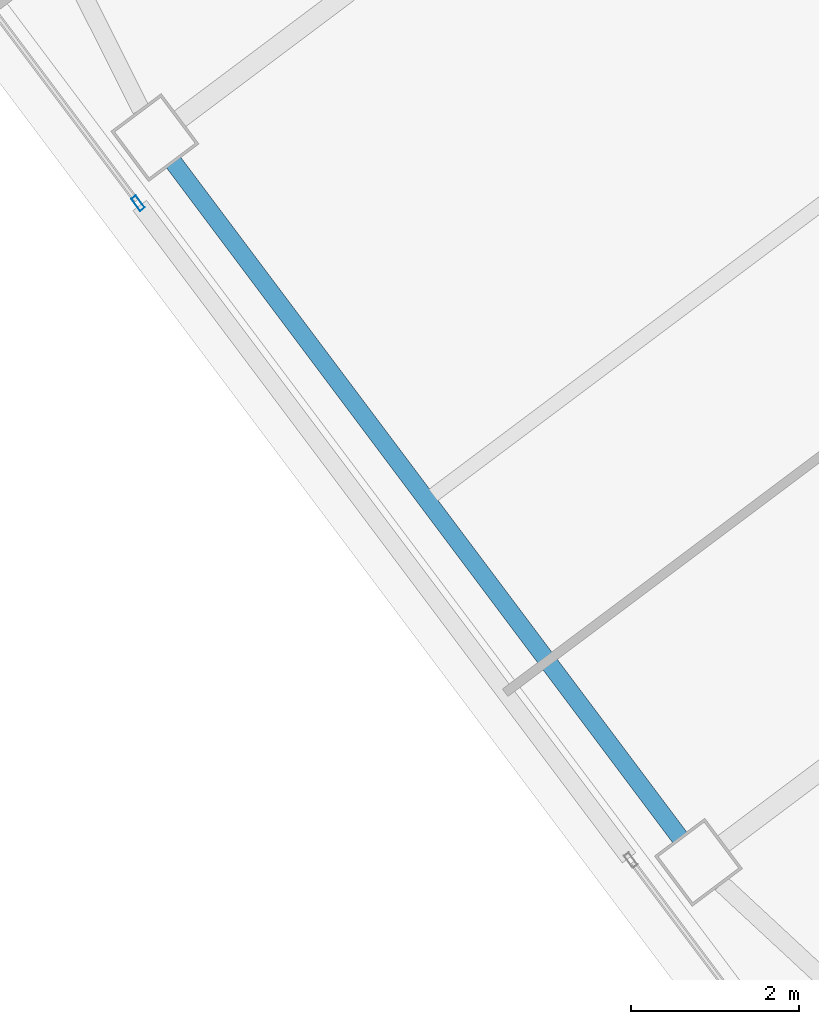
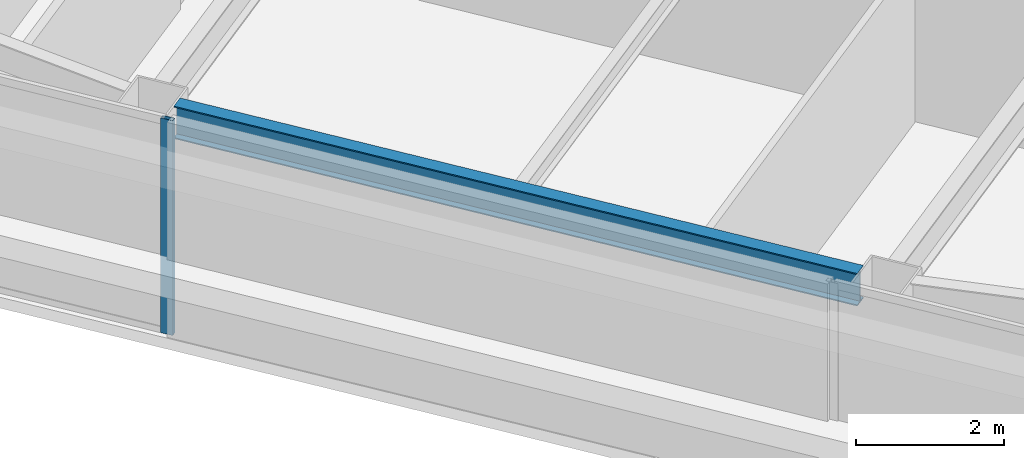
# One storey, part 16 of 41: 1 beam, 1 member, 1 element without a shape of its own.
"""IFC4 building model written with IfcOpenShell, lengths in metres."""

from ifc_helpers import new_model, si_unit, direction, frame, origin, origin_2d, place, context, subcontext, project, spatial, hollow_rectangle, i_section, extrude, material, material_profile, profile_set, type_object, element, aggregate, save


model = new_model("IFC4")

# Units and contexts
model_context = context("Model", 3, precision=1e-05, world=origin(), true_north=direction((0.0, 1.0)))
body_context = subcontext(model_context, "Body", "Model", "MODEL_VIEW")
ifc_project = project(units=[si_unit("LENGTHUNIT", "METRE"), si_unit("AREAUNIT", "SQUARE_METRE"), si_unit("VOLUMEUNIT", "CUBIC_METRE"), si_unit("PLANEANGLEUNIT", "RADIAN"), si_unit("MASSUNIT", "GRAM", prefix="KILO")], contexts=[model_context])

# Site, building, storey
site_placement = place(None, origin())
site = spatial("IfcSite", under=ifc_project, at=site_placement, CompositionType="ELEMENT")
building_placement = place(site_placement, origin())
building = spatial("IfcBuilding", under=site, at=building_placement, Name="Tashvorn Skyway Center", CompositionType="ELEMENT")
storey_placement = place(building_placement, frame((0.0, 0.0, 192.5)))
storey = spatial("IfcBuildingStorey", under=building, at=storey_placement, Name="L52", CompositionType="ELEMENT", Elevation=192.5)

# Beam
ifc_material_1 = material(Name="Steel ASTM A992 Grade 50", Category="steel")
ifc_material_profile_1 = material_profile(ifc_material_1, i_section(OverallWidth=0.2109375, OverallDepth=0.5390625, WebThickness=0.01171875, FlangeThickness=0.018798828125, at=origin_2d()), Name="W21X73")
ifc_profile_set_1 = profile_set([ifc_material_profile_1], Name="Steel ASTM A992 Grade 50")
beam_type = type_object("IfcBeamType", Name="BM-SPANDREL-W21X73", PredefinedType="SPANDREL", material=ifc_profile_set_1)
beam_placement = place(storey_placement, frame((98.06201171875, 26.333984375, 3.1005859375), z_axis=(0.599988351091, -0.800008736549, 0.0), x_axis=(0.800008736549, 0.599988351091, 0.0)))
element("IfcBeam", 1, at=beam_placement, inside=storey, type_object=beam_type, Name="Tower 2 L52 Spandrel Beam 11", PredefinedType="SPANDREL", context=body_context, shape_type="SweptSolid", body=[
    extrude(i_section(OverallWidth=0.2109375, OverallDepth=0.5390625, WebThickness=0.01171875, FlangeThickness=0.018798828125, at=origin_2d()), origin(), (0.0, 0.0, 1.0), 10.06005859375),
])

# Curtain wall, member
ifc_material_2 = material(Name="Thermally broken bronze-anodized aluminium 6063-T6", Category="aluminium")
curtain_wall_type = type_object("IfcCurtainWallType", Name="CW-CW-Z4", PredefinedType="NOTDEFINED", material=ifc_material_2)
curtain_wall_placement = place(storey_placement, origin())
curtain_wall = element("IfcCurtainWall", 2, at=curtain_wall_placement, inside=storey, type_object=curtain_wall_type, Name="Tower 2 L52 West Unitised Curtain Wall Glazing Group 2", PredefinedType="NOTDEFINED")
ifc_material_profile_2 = material_profile(ifc_material_2, hollow_rectangle(XDim=0.070068359375, YDim=0.179931640625, WallThickness=0.00390625, at=origin_2d()), Name="ALU-MULL-70x180")
ifc_profile_set_2 = profile_set([ifc_material_profile_2], Name="Thermally broken bronze-anodized aluminium 6063-T6")
member_type = type_object("IfcMemberType", Name="CWM-CW-Z4", PredefinedType="MULLION", material=ifc_profile_set_2)
member_placement = place(storey_placement, frame((97.638916015625, 25.847900390625, 0.0), z_axis=(0.0, 0.0, 1.0), x_axis=(-0.799999999998, -0.600000000002, 0.0)))
member = element("IfcMember", 3, at=member_placement, type_object=member_type, Name="CW-Z4 mullion 1", PredefinedType="MULLION", context=body_context, shape_type="SweptSolid", body=[
    extrude(hollow_rectangle(XDim=0.070068359375, YDim=0.179931640625, WallThickness=0.00390625, at=origin_2d()), origin(), (0.0, 0.0, 1.0), 3.550048828125),
])
aggregate(curtain_wall, [member])

save(model, "model.ifc")
